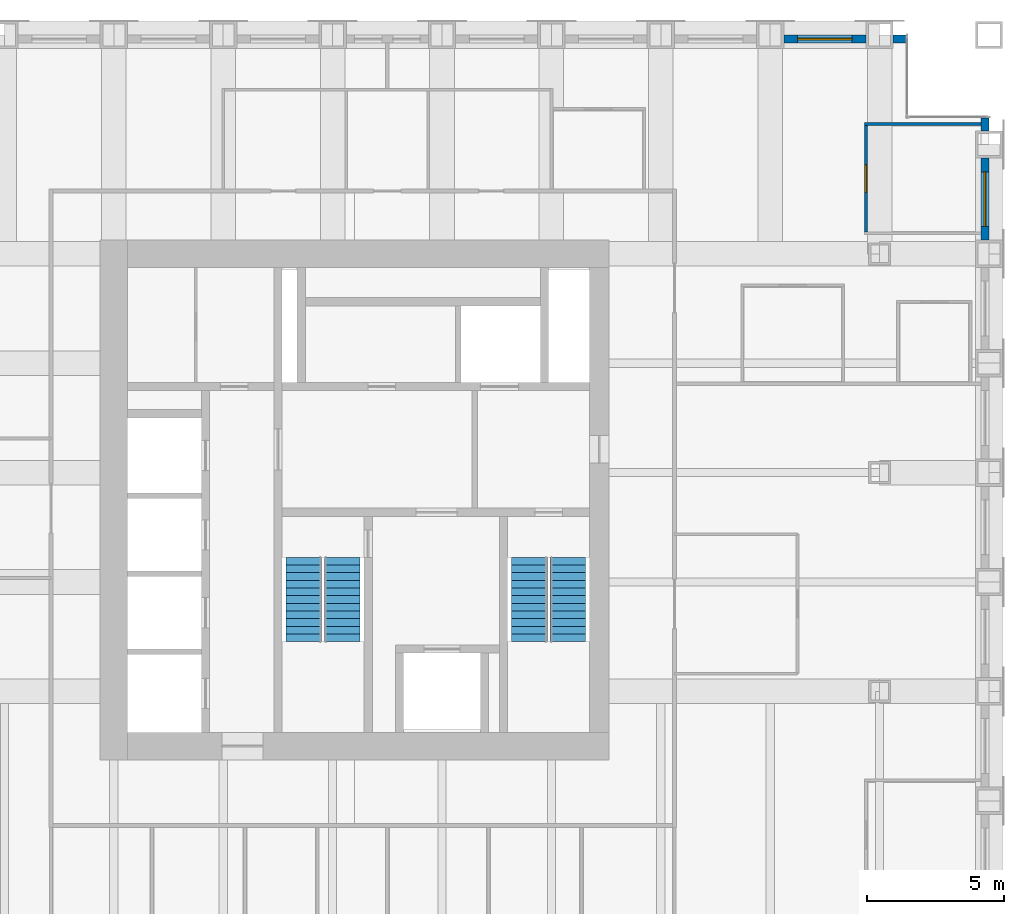
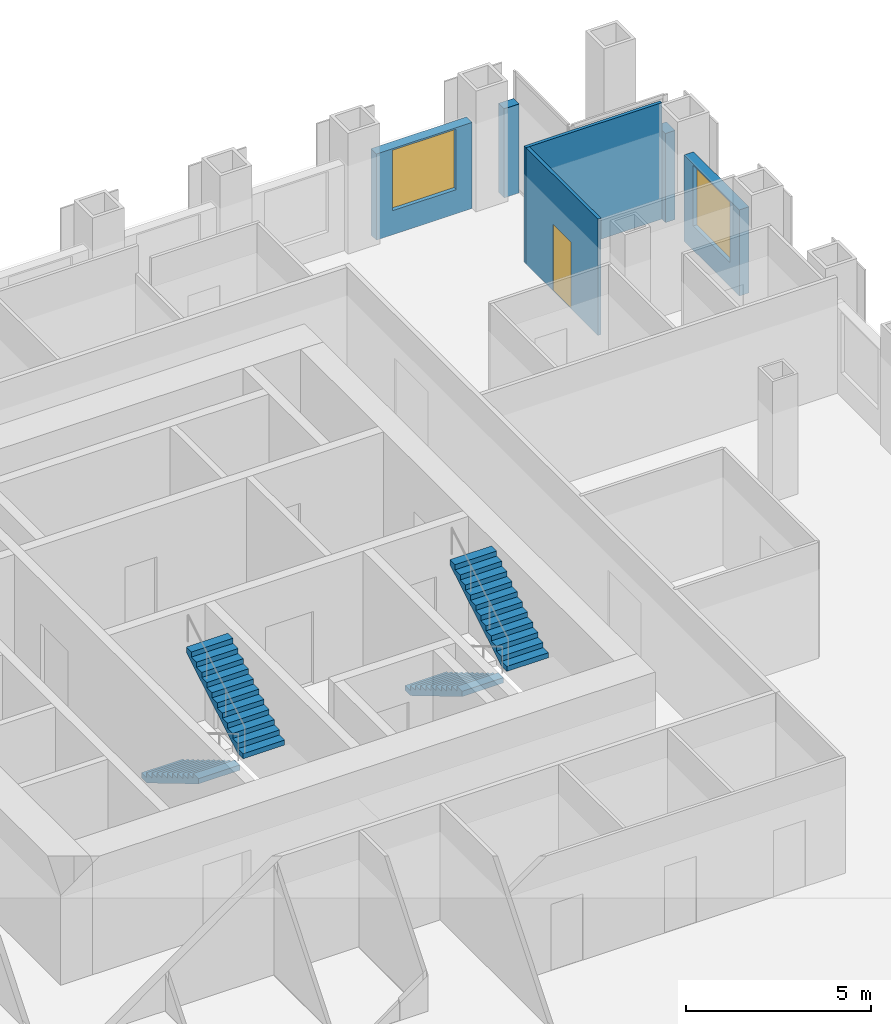
# One storey, part 11 of 13: 6 walls, 4 stair flights, 2 windows, 1 door, 3 openings, 2 elements without a shape of their own.
"""IFC4 building model written with IfcOpenShell, lengths in metres."""

from ifc_helpers import new_model, si_unit, direction, frame, frame_2d, origin, place, context, subcontext, project, spatial, polyline, rectangle, outline, extrude, material, layer, layer_set, type_object, element, fill, aggregate, save


model = new_model("IFC4")

# Units and contexts
model_context = context("Model", 3, precision=1e-05, world=origin(), true_north=direction((0.0, 1.0)))
body_context = subcontext(model_context, "Body", "Model", "MODEL_VIEW")
ifc_project = project(units=[si_unit("LENGTHUNIT", "METRE"), si_unit("AREAUNIT", "SQUARE_METRE"), si_unit("VOLUMEUNIT", "CUBIC_METRE"), si_unit("PLANEANGLEUNIT", "RADIAN"), si_unit("MASSUNIT", "GRAM", prefix="KILO")], contexts=[model_context])

# Site, building, storey
site_placement = place(None, origin())
site = spatial("IfcSite", under=ifc_project, at=site_placement, CompositionType="ELEMENT")
building_placement = place(site_placement, origin())
building = spatial("IfcBuilding", under=site, at=building_placement, Name="Rimbunsela Tower", CompositionType="ELEMENT")
storey_placement = place(building_placement, frame((0.0, 0.0, 254.199951171875)))
storey = spatial("IfcBuildingStorey", under=building, at=storey_placement, Name="L61", CompositionType="ELEMENT", Elevation=254.199951171875)

# Wall
ifc_material_1 = material(Name="Gypsum board on steel studs", Category="steel")
ifc_layer_1 = layer(ifc_material_1, 0.10009765625)
ifc_layer_set_1 = layer_set([ifc_layer_1], Name="Office partition 100")
wall_type_1 = type_object("IfcWallType", Name="Office partition 100", PredefinedType="PARTITIONING", material=ifc_layer_set_1)
wall_1_placement = place(storey_placement, frame((45.449951171875, 40.75, 0.0), z_axis=(0.0, 0.0, 1.0), x_axis=(1.0, 0.0, 0.0)))
element("IfcWall", 1, at=wall_1_placement, inside=storey, type_object=wall_type_1, Name="Office partition", PredefinedType="PARTITIONING", context=body_context, shape_type="SweptSolid", body=[
    extrude(rectangle(XDim=4.25, YDim=0.10009765625, at=frame_2d((2.125, 0.0))), origin(), (0.0, 0.0, 1.0), 3.85009765625),
])

# Wall, opening, door
wall_2_placement = place(storey_placement, frame((45.5, 36.800048828125, 0.0), z_axis=(0.0, 0.0, 1.0), x_axis=(0.0, 1.0, 0.0)))
wall_2 = element("IfcWall", 2, at=wall_2_placement, inside=storey, type_object=wall_type_1, Name="Office partition", PredefinedType="PARTITIONING", context=body_context, shape_type="SweptSolid", body=[
    extrude(rectangle(XDim=3.89990234375, YDim=0.10009765625, at=frame_2d((1.949951171875, 0.0))), origin(), (0.0, 0.0, 1.0), 3.85009765625),
])
opening_1_placement = place(wall_2_placement, frame((1.449951171875, 0.0, 0.0)))
opening_1 = element("IfcOpeningElement", 3, at=opening_1_placement, cuts=wall_2, Name="Opening D16", PredefinedType="OPENING", context=body_context, shape_type="SweptSolid", body=[
    extrude(rectangle(XDim=1.0, YDim=2.199951171875, at=frame_2d((0.5, 1.10009765625))), frame((0.0, 0.06005859375, 0.0), z_axis=(0.0, -1.0, 0.0), x_axis=(1.0, 0.0, 0.0)), (0.0, 0.0, 1.0), 0.1201171875),
])
ifc_material_2 = material(Name="Timber door", Category="wood")
door_type = type_object("IfcDoorType", Name="Office door 1000", OperationType="SINGLE_SWING_LEFT", PredefinedType="DOOR", material=ifc_material_2)
door_placement = place(opening_1_placement, origin())
door = element("IfcDoor", 4, at=door_placement, inside=storey, type_object=door_type, Name="Office door", OperationType="SINGLE_SWING_LEFT", OverallHeight=2.199951171875, OverallWidth=1.0, PredefinedType="DOOR", context=body_context, shape_type="SweptSolid", body=[
    extrude(rectangle(XDim=1.0, YDim=2.199951171875, at=frame_2d((0.5, 1.10009765625))), frame((0.0, 0.02490234375, 0.0), z_axis=(0.0, -1.0, 0.0), x_axis=(1.0, 0.0, 0.0)), (0.0, 0.0, 1.0), 0.050048828125),
])
fill(opening_1, door)

# Wall, opening, window
ifc_material_3 = material(Name="Precast concrete fc' 35 MPa", Category="concrete")
ifc_layer_2 = layer(ifc_material_3, 0.300048828125)
ifc_layer_set_2 = layer_set([ifc_layer_2], Name="Precast concrete fc' 35 MPa")
wall_type_2 = type_object("IfcWallType", Name="Precast facade panel 300", PredefinedType="ELEMENTEDWALL", material=ifc_layer_set_2)
wall_3_placement = place(storey_placement, frame((49.85009765625, 36.5, 0.0), z_axis=(0.0, 0.0, 1.0), x_axis=(0.0, 1.0, 0.0)))
wall_3 = element("IfcWall", 5, at=wall_3_placement, inside=storey, type_object=wall_type_2, Name="Facade panel E L61", PredefinedType="ELEMENTEDWALL", context=body_context, shape_type="SweptSolid", body=[
    extrude(rectangle(XDim=3.0, YDim=0.300048828125, at=frame_2d((1.5, 0.0))), origin(), (0.0, 0.0, 1.0), 2.85009765625),
])
opening_2_placement = place(wall_3_placement, frame((0.5, 0.0, 0.800048828125)))
opening_2 = element("IfcOpeningElement", 6, at=opening_2_placement, cuts=wall_3, Name="Opening W1", PredefinedType="OPENING", context=body_context, shape_type="SweptSolid", body=[
    extrude(rectangle(XDim=2.0, YDim=2.0, at=frame_2d((1.0, 1.0))), frame((0.0, 0.159912109375, 0.0), z_axis=(0.0, -1.0, 0.0), x_axis=(1.0, 0.0, 0.0)), (0.0, 0.0, 1.0), 0.320068359375),
])
ifc_material_4 = material(Name="Clear glass in aluminium frame", Category="aluminium")
window_type = type_object("IfcWindowType", Name="Window W1 2000x2000", PartitioningType="DOUBLE_PANEL_VERTICAL", PredefinedType="WINDOW", material=ifc_material_4)
window_1_placement = place(opening_2_placement, origin())
window_1 = element("IfcWindow", 7, at=window_1_placement, inside=storey, type_object=window_type, Name="Window L61", OverallHeight=2.0, OverallWidth=2.0, PartitioningType="SINGLE_PANEL", PredefinedType="WINDOW", context=body_context, shape_type="SweptSolid", body=[
    extrude(rectangle(XDim=2.0, YDim=2.0, at=frame_2d((1.0, 1.0))), frame((0.0, 0.030029296875, 0.0), z_axis=(0.0, -1.0, 0.0), x_axis=(1.0, 0.0, 0.0)), (0.0, 0.0, 1.0), 0.06005859375),
])
fill(opening_2, window_1)

# Wall
wall_4_placement = place(storey_placement, frame((49.85009765625, 40.5, 0.0), z_axis=(0.0, 0.0, 1.0), x_axis=(0.0, 1.0, 0.0)))
element("IfcWall", 8, at=wall_4_placement, inside=storey, type_object=wall_type_2, Name="Facade panel E L61", PredefinedType="ELEMENTEDWALL", context=body_context, shape_type="SweptSolid", body=[
    extrude(rectangle(XDim=0.469970703125, YDim=0.300048828125, at=frame_2d((0.23486328125, 0.0))), origin(), (0.0, 0.0, 1.0), 2.949951171875),
])

# Wall, opening, window
wall_5_placement = place(storey_placement, frame((45.5, 43.85009765625, 0.0), z_axis=(0.0, 0.0, 1.0), x_axis=(-1.0, 0.0, 0.0)))
wall_5 = element("IfcWall", 9, at=wall_5_placement, inside=storey, type_object=wall_type_2, Name="Facade panel N L61", PredefinedType="ELEMENTEDWALL", context=body_context, shape_type="SweptSolid", body=[
    extrude(rectangle(XDim=3.0, YDim=0.300048828125, at=frame_2d((1.5, 0.0))), origin(), (0.0, 0.0, 1.0), 2.85009765625),
])
opening_3_placement = place(wall_5_placement, frame((0.5, 0.0, 0.800048828125)))
opening_3 = element("IfcOpeningElement", 10, at=opening_3_placement, cuts=wall_5, Name="Opening W1", PredefinedType="OPENING", context=body_context, shape_type="SweptSolid", body=[
    extrude(rectangle(XDim=2.0, YDim=2.0, at=frame_2d((1.0, 1.0))), frame((0.0, 0.159912109375, 0.0), z_axis=(0.0, -1.0, 0.0), x_axis=(1.0, 0.0, 0.0)), (0.0, 0.0, 1.0), 0.320068359375),
])
window_2_placement = place(opening_3_placement, origin())
window_2 = element("IfcWindow", 11, at=window_2_placement, inside=storey, type_object=window_type, Name="Window L61", OverallHeight=2.0, OverallWidth=2.0, PartitioningType="SINGLE_PANEL", PredefinedType="WINDOW", context=body_context, shape_type="SweptSolid", body=[
    extrude(rectangle(XDim=2.0, YDim=2.0, at=frame_2d((1.0, 1.0))), frame((0.0, 0.030029296875, 0.0), z_axis=(0.0, -1.0, 0.0), x_axis=(1.0, 0.0, 0.0)), (0.0, 0.0, 1.0), 0.06005859375),
])
fill(opening_3, window_2)

# Wall
wall_6_placement = place(storey_placement, frame((46.969970703125, 43.85009765625, 0.0), z_axis=(0.0, 0.0, 1.0), x_axis=(-1.0, 0.0, 0.0)))
element("IfcWall", 12, at=wall_6_placement, inside=storey, type_object=wall_type_2, Name="Facade panel N L61", PredefinedType="ELEMENTEDWALL", context=body_context, shape_type="SweptSolid", body=[
    extrude(rectangle(XDim=0.469970703125, YDim=0.300048828125, at=frame_2d((0.23486328125, 0.0))), origin(), (0.0, 0.0, 1.0), 2.949951171875),
])

# Stair, stair flights
ifc_material_5 = material(Name="Concrete fc' 35 MPa", Category="concrete")
stair_type = type_object("IfcStairType", Name="Exit stair 24 risers", PredefinedType="HALF_TURN_STAIR", material=ifc_material_5)
stair_1_placement = place(storey_placement, origin())
stair_1 = element("IfcStair", 13, at=stair_1_placement, inside=storey, type_object=stair_type, Name="Exit stair A L61", PredefinedType="HALF_TURN_STAIR")
ifc_material_6 = material(Name="Concrete fc' 35 MPa", Category="concrete")
stair_flight_type = type_object("IfcStairFlightType", Name="Stair flight 12 risers 167", PredefinedType="STRAIGHT", material=ifc_material_6)
stair_flight_1_placement = place(storey_placement, frame((24.949951171875, 24.89990234375, 0.0), z_axis=(0.0, 0.0, 1.0), x_axis=(0.0, -1.0, 0.0)))
stair_flight_1 = element("IfcStairFlight", 14, at=stair_flight_1_placement, type_object=stair_flight_type, Name="ST-A flight 1", NumberOfRisers=12, NumberOfTreads=11, PredefinedType="STRAIGHT", RiserHeight=0.166666667, TreadLength=0.28, context=body_context, shape_type="SweptSolid", body=[
    extrude(outline(polyline([(0.0, 0.0), (0.0, 0.166748046875), (0.280029296875, 0.166748046875), (0.280029296875, 0.333251953125), (0.56005859375, 0.333251953125), (0.56005859375, 0.5), (0.840087890625, 0.5), (0.840087890625, 0.666748046875), (1.1201171875, 0.666748046875), (1.1201171875, 0.833251953125), (1.39990234375, 0.833251953125), (1.39990234375, 1.0), (1.679931640625, 1.0), (1.679931640625, 1.166748046875), (1.9599609375, 1.166748046875), (1.9599609375, 1.333251953125), (2.239990234375, 1.333251953125), (2.239990234375, 1.5), (2.52001953125, 1.5), (2.52001953125, 1.666748046875), (2.800048828125, 1.666748046875), (2.800048828125, 1.833251953125), (3.080078125, 1.833251953125), (3.080078125, 2.0), (3.080078125, 1.658935546875), (0.29296875, 0.0), (0.0, 0.0)])), frame((0.0, 0.64990234375, 0.0), z_axis=(0.0, -1.0, 0.0), x_axis=(1.0, 0.0, 0.0)), (0.0, 0.0, 1.0), 1.300048828125),
])
stair_flight_2_placement = place(storey_placement, frame((26.35009765625, 21.820068359375, 2.0), z_axis=(0.0, 0.0, 1.0), x_axis=(0.0, 1.0, 0.0)))
stair_flight_2 = element("IfcStairFlight", 15, at=stair_flight_2_placement, type_object=stair_flight_type, Name="ST-A flight 2", NumberOfRisers=12, NumberOfTreads=11, PredefinedType="STRAIGHT", RiserHeight=0.166666667, TreadLength=0.28, context=body_context, shape_type="SweptSolid", body=[
    extrude(outline(polyline([(0.0, 0.0), (0.0, 0.166748046875), (0.280029296875, 0.166748046875), (0.280029296875, 0.333251953125), (0.56005859375, 0.333251953125), (0.56005859375, 0.5), (0.840087890625, 0.5), (0.840087890625, 0.666748046875), (1.1201171875, 0.666748046875), (1.1201171875, 0.833251953125), (1.39990234375, 0.833251953125), (1.39990234375, 1.0), (1.679931640625, 1.0), (1.679931640625, 1.166748046875), (1.9599609375, 1.166748046875), (1.9599609375, 1.333251953125), (2.239990234375, 1.333251953125), (2.239990234375, 1.5), (2.52001953125, 1.5), (2.52001953125, 1.666748046875), (2.800048828125, 1.666748046875), (2.800048828125, 1.833251953125), (3.080078125, 1.833251953125), (3.080078125, 2.0), (3.080078125, 1.658935546875), (0.29296875, 0.0), (0.0, 0.0)])), frame((0.0, 0.64990234375, 0.0), z_axis=(0.0, -1.0, 0.0), x_axis=(1.0, 0.0, 0.0)), (0.0, 0.0, 1.0), 1.300048828125),
])
aggregate(stair_1, [stair_flight_1, stair_flight_2])

stair_2_placement = place(storey_placement, origin())
stair_2 = element("IfcStair", 16, at=stair_2_placement, inside=storey, type_object=stair_type, Name="Exit stair B L61", PredefinedType="HALF_TURN_STAIR")
stair_flight_3_placement = place(storey_placement, frame((33.199951171875, 24.89990234375, 0.0), z_axis=(0.0, 0.0, 1.0), x_axis=(0.0, -1.0, 0.0)))
stair_flight_3 = element("IfcStairFlight", 17, at=stair_flight_3_placement, type_object=stair_flight_type, Name="ST-B flight 1", NumberOfRisers=12, NumberOfTreads=11, PredefinedType="STRAIGHT", RiserHeight=0.166666667, TreadLength=0.28, context=body_context, shape_type="SweptSolid", body=[
    extrude(outline(polyline([(0.0, 0.0), (0.0, 0.166748046875), (0.280029296875, 0.166748046875), (0.280029296875, 0.333251953125), (0.56005859375, 0.333251953125), (0.56005859375, 0.5), (0.840087890625, 0.5), (0.840087890625, 0.666748046875), (1.1201171875, 0.666748046875), (1.1201171875, 0.833251953125), (1.39990234375, 0.833251953125), (1.39990234375, 1.0), (1.679931640625, 1.0), (1.679931640625, 1.166748046875), (1.9599609375, 1.166748046875), (1.9599609375, 1.333251953125), (2.239990234375, 1.333251953125), (2.239990234375, 1.5), (2.52001953125, 1.5), (2.52001953125, 1.666748046875), (2.800048828125, 1.666748046875), (2.800048828125, 1.833251953125), (3.080078125, 1.833251953125), (3.080078125, 2.0), (3.080078125, 1.658935546875), (0.29296875, 0.0), (0.0, 0.0)])), frame((0.0, 0.64990234375, 0.0), z_axis=(0.0, -1.0, 0.0), x_axis=(1.0, 0.0, 0.0)), (0.0, 0.0, 1.0), 1.300048828125),
])
stair_flight_4_placement = place(storey_placement, frame((34.60009765625, 21.820068359375, 2.0), z_axis=(0.0, 0.0, 1.0), x_axis=(0.0, 1.0, 0.0)))
stair_flight_4 = element("IfcStairFlight", 18, at=stair_flight_4_placement, type_object=stair_flight_type, Name="ST-B flight 2", NumberOfRisers=12, NumberOfTreads=11, PredefinedType="STRAIGHT", RiserHeight=0.166666667, TreadLength=0.28, context=body_context, shape_type="SweptSolid", body=[
    extrude(outline(polyline([(0.0, 0.0), (0.0, 0.166748046875), (0.280029296875, 0.166748046875), (0.280029296875, 0.333251953125), (0.56005859375, 0.333251953125), (0.56005859375, 0.5), (0.840087890625, 0.5), (0.840087890625, 0.666748046875), (1.1201171875, 0.666748046875), (1.1201171875, 0.833251953125), (1.39990234375, 0.833251953125), (1.39990234375, 1.0), (1.679931640625, 1.0), (1.679931640625, 1.166748046875), (1.9599609375, 1.166748046875), (1.9599609375, 1.333251953125), (2.239990234375, 1.333251953125), (2.239990234375, 1.5), (2.52001953125, 1.5), (2.52001953125, 1.666748046875), (2.800048828125, 1.666748046875), (2.800048828125, 1.833251953125), (3.080078125, 1.833251953125), (3.080078125, 2.0), (3.080078125, 1.658935546875), (0.29296875, 0.0), (0.0, 0.0)])), frame((0.0, 0.64990234375, 0.0), z_axis=(0.0, -1.0, 0.0), x_axis=(1.0, 0.0, 0.0)), (0.0, 0.0, 1.0), 1.300048828125),
])
aggregate(stair_2, [stair_flight_3, stair_flight_4])

save(model, "model.ifc")
